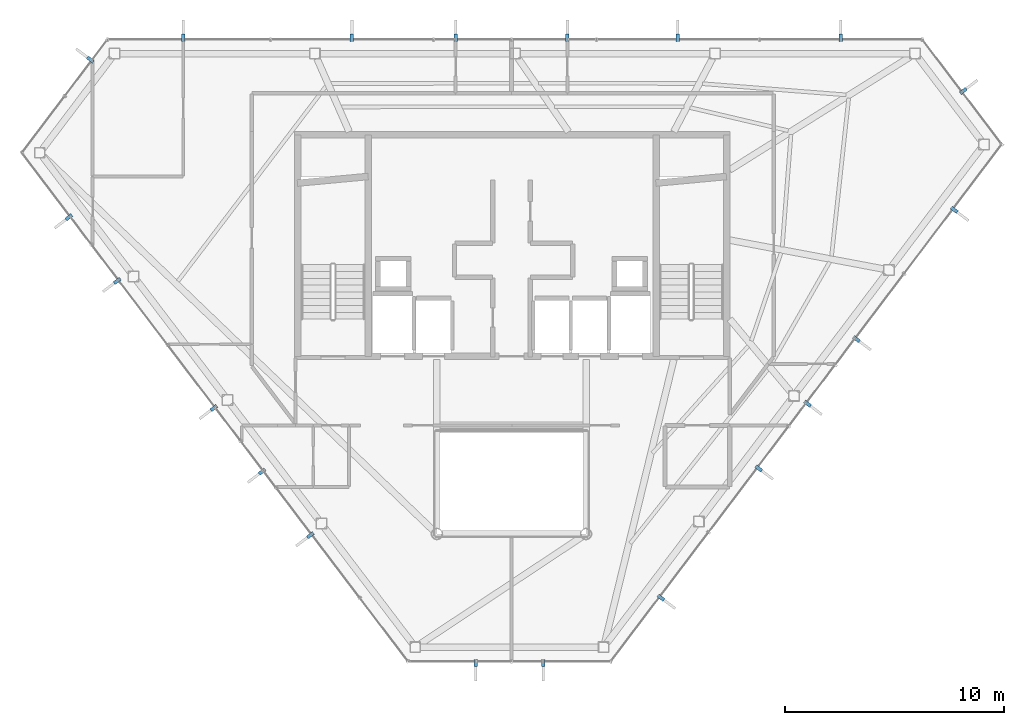
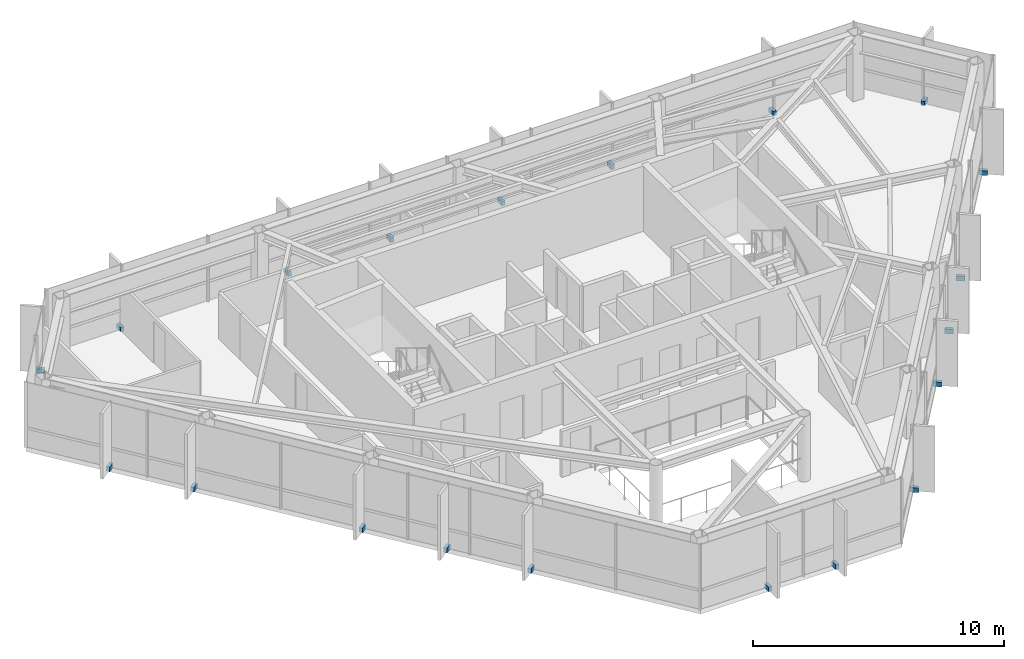
# One storey, part 23 of 24: 20 discrete accessories.
"""IFC4 building model written with IfcOpenShell, lengths in metres."""

from ifc_helpers import new_model, si_unit, direction, frame, origin, origin_2d, place, context, subcontext, project, spatial, rectangle, extrude, material, type_object, element, save


model = new_model("IFC4")

# Units and contexts
model_context = context("Model", 3, precision=1e-05, world=origin(), true_north=direction((0.0, 1.0)))
body_context = subcontext(model_context, "Body", "Model", "MODEL_VIEW")
ifc_project = project(units=[si_unit("LENGTHUNIT", "METRE"), si_unit("AREAUNIT", "SQUARE_METRE"), si_unit("VOLUMEUNIT", "CUBIC_METRE"), si_unit("PLANEANGLEUNIT", "RADIAN"), si_unit("MASSUNIT", "GRAM", prefix="KILO")], contexts=[model_context])

# Site, building, storey
site_placement = place(None, origin())
site = spatial("IfcSite", under=ifc_project, at=site_placement, CompositionType="ELEMENT")
building_placement = place(site_placement, origin())
building = spatial("IfcBuilding", under=site, at=building_placement, Name="Zarrinselat Tower", CompositionType="ELEMENT")
storey_placement = place(building_placement, frame((0.0, 0.0, 272.0)))
storey = spatial("IfcBuildingStorey", under=building, at=storey_placement, Name="L69", CompositionType="ELEMENT", Elevation=272.0)

# Discrete accessories
ifc_material = material(Name="Steel S355J2", Category="steel")
discrete_accessory_type = type_object("IfcDiscreteAccessoryType", Name="ACC-FIN-BRACKET", PredefinedType="BRACKET", material=ifc_material)
for number, where, z_axis, x_axis, name in (
    (1, (53.412109375, 47.820068359375, -0.0498046875), (0.0, 0.0, 1.0), (0.0, 1.0, 0.0), "L69 Fin Fixing Bracket CW-L69-E01-01"),
    (2, (45.9833984375, 47.820068359375, -0.0498046875), (0.0, 0.0, 1.0), (0.0, 1.0, 0.0), "L69 Fin Fixing Bracket CW-L69-E01-03"),
    (3, (40.949951171875, 47.820068359375, -0.0498046875), (0.0, 0.0, 1.0), (0.0, 1.0, 0.0), "L69 Fin Fixing Bracket CW-L69-E01-05"),
    (4, (35.85009765625, 47.820068359375, -0.0498046875), (0.0, 0.0, 1.0), (0.0, 1.0, 0.0), "L69 Fin Fixing Bracket CW-L69-E01-07"),
    (5, (31.12646484375, 47.820068359375, -0.0498046875), (0.0, 0.0, 1.0), (0.0, 1.0, 0.0), "L69 Fin Fixing Bracket CW-L69-E01-09"),
    (6, (23.439208984375, 47.820068359375, -0.0498046875), (0.0, 0.0, 1.0), (0.0, 1.0, 0.0), "L69 Fin Fixing Bracket CW-L69-E01-11"),
    (7, (19.19873046875, 46.827880859375, -0.0498046875), (0.0, 0.0, 1.0), (-0.797604826305, 0.603180355329, 0.0), "L69 Fin Fixing Bracket CW-L69-E02-01"),
    (8, (18.22119140625, 39.639892578125, -0.0498046875), (0.0, 0.0, 1.0), (-0.796386839721, -0.604787567266, 0.0), "L69 Fin Fixing Bracket CW-L69-E03-01"),
    (9, (20.422607421875, 36.74072265625, -0.0498046875), (0.0, 0.0, 1.0), (-0.796386839721, -0.604787567266, 0.0), "L69 Fin Fixing Bracket CW-L69-E03-03"),
    (10, (24.826171875, 30.9423828125, -0.0498046875), (0.0, 0.0, 1.0), (-0.796386839721, -0.604787567266, 0.0), "L69 Fin Fixing Bracket CW-L69-E03-05"),
    (11, (27.02783203125, 28.043212890625, -0.0498046875), (0.0, 0.0, 1.0), (-0.796386839721, -0.604787567266, 0.0), "L69 Fin Fixing Bracket CW-L69-E03-07"),
    (12, (29.2294921875, 25.14404296875, -0.0498046875), (0.0, 0.0, 1.0), (-0.796386839721, -0.604787567266, 0.0), "L69 Fin Fixing Bracket CW-L69-E03-09"),
    (13, (36.76806640625, 19.318115234375, -0.0498046875), (0.0, 0.0, 1.0), (0.0, -1.0, 0.0), "L69 Fin Fixing Bracket CW-L69-E04-01"),
    (14, (39.84765625, 19.318115234375, -0.0498046875), (0.0, 0.0, 1.0), (0.0, -1.0, 0.0), "L69 Fin Fixing Bracket CW-L69-E04-03"),
    (15, (45.2119140625, 22.293212890625, -0.0498046875), (0.0, 0.0, 1.0), (0.797612970041, -0.603169586453, 0.0), "L69 Fin Fixing Bracket CW-L69-E05-01"),
    (16, (49.669677734375, 28.18798828125, -0.0498046875), (0.0, 0.0, 1.0), (0.797612970041, -0.603169586453, 0.0), "L69 Fin Fixing Bracket CW-L69-E05-03"),
    (17, (51.8984375, 31.135498046875, -0.0498046875), (0.0, 0.0, 1.0), (0.797612970041, -0.603169586453, 0.0), "L69 Fin Fixing Bracket CW-L69-E05-05"),
    (18, (54.127197265625, 34.0830078125, -0.0498046875), (0.0, 0.0, 1.0), (0.797612970041, -0.603169586453, 0.0), "L69 Fin Fixing Bracket CW-L69-E05-07"),
    (19, (58.585205078125, 39.977783203125, -0.0498046875), (0.0, 0.0, 1.0), (0.797612970041, -0.603169586453, 0.0), "L69 Fin Fixing Bracket CW-L69-E05-09"),
    (20, (58.997802734375, 45.40087890625, -0.0498046875), (0.0, 0.0, 1.0), (0.796390917907, 0.604782197055, 0.0), "L69 Fin Fixing Bracket CW-L69-E06-01"),
):
    element("IfcDiscreteAccessory", number, at=place(storey_placement, frame(where, z_axis=z_axis, x_axis=x_axis)), inside=storey, type_object=discrete_accessory_type, Name=name, PredefinedType="BRACKET", context=body_context, shape_type="SweptSolid", body=[
        extrude(rectangle(XDim=0.340087890625, YDim=0.159912109375, at=origin_2d()), origin(), (0.0, 0.0, 1.0), 0.219970703125),
    ])

save(model, "model.ifc")
